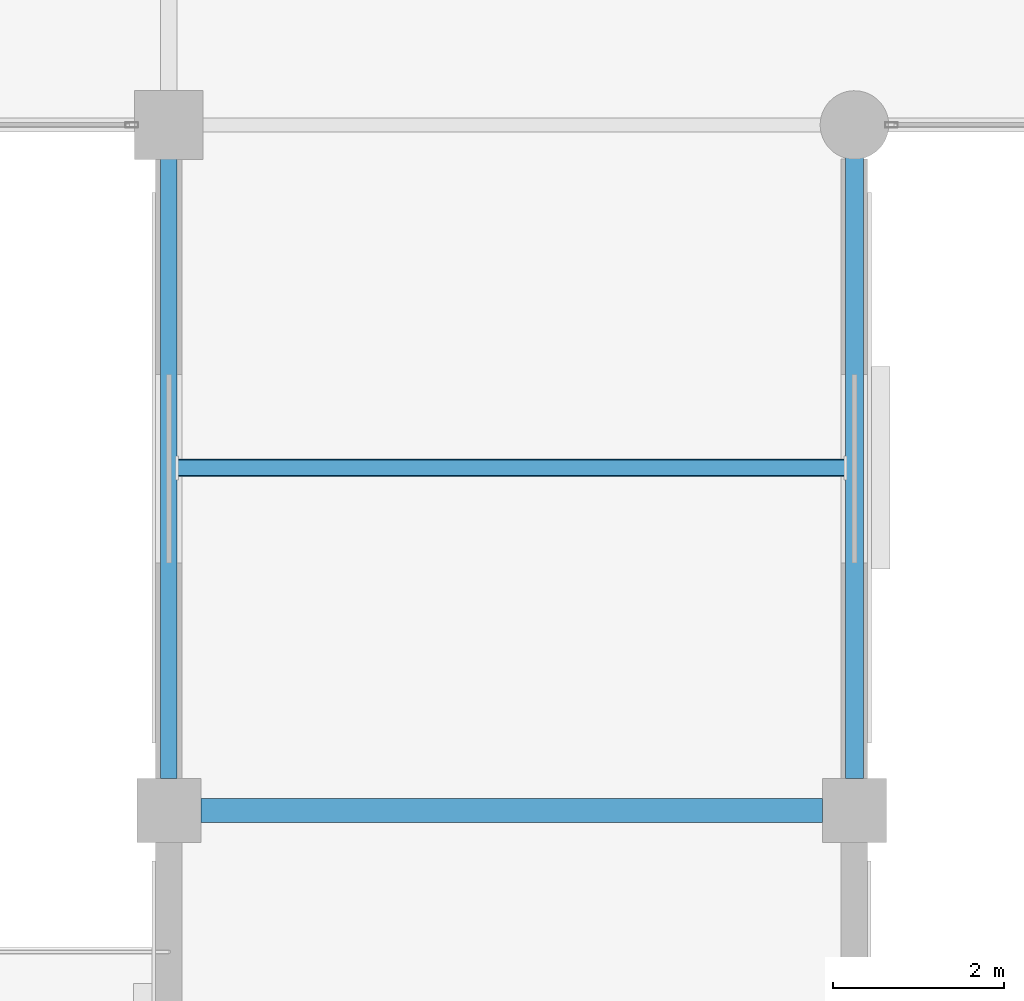
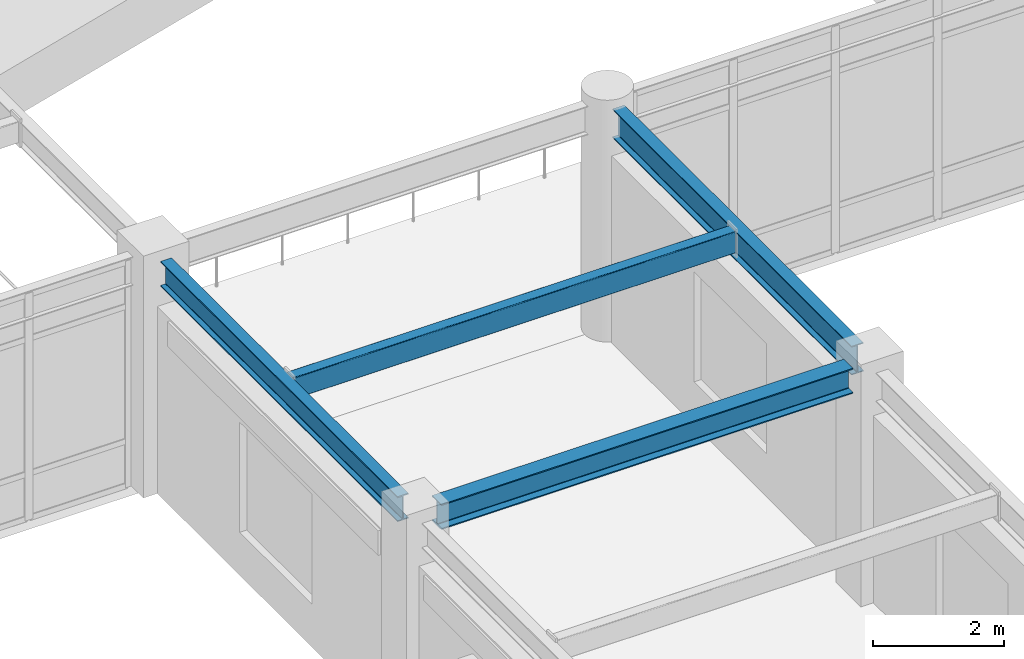
# One storey, part 19 of 93: 4 beams.
"""IFC4 building model written with IfcOpenShell, lengths in metres."""

from ifc_helpers import new_model, si_unit, direction, frame, origin, origin_2d, place, context, subcontext, project, spatial, hollow_rectangle, i_section, extrude, material, material_profile, profile_set, type_object, element, save


model = new_model("IFC4")

# Units and contexts
model_context = context("Model", 3, precision=1e-05, world=origin(), true_north=direction((0.0, 1.0)))
body_context = subcontext(model_context, "Body", "Model", "MODEL_VIEW")
ifc_project = project(units=[si_unit("LENGTHUNIT", "METRE"), si_unit("AREAUNIT", "SQUARE_METRE"), si_unit("VOLUMEUNIT", "CUBIC_METRE"), si_unit("PLANEANGLEUNIT", "RADIAN"), si_unit("MASSUNIT", "GRAM", prefix="KILO")], contexts=[model_context])

# Site, building, storey
site_placement = place(None, origin())
site = spatial("IfcSite", under=ifc_project, at=site_placement, CompositionType="ELEMENT")
building_placement = place(site_placement, origin())
building = spatial("IfcBuilding", under=site, at=building_placement, Name="Solmirada Galleria", CompositionType="ELEMENT")
storey_placement = place(building_placement, frame((0.0, 0.0, 14.89990234375)))
storey = spatial("IfcBuildingStorey", under=building, at=storey_placement, Name="L03", CompositionType="ELEMENT", Elevation=14.89990234375)

# Beams
ifc_material_1 = material(Name="Steel S355 / ASTM A992 Grade 50", Category="steel")
ifc_material_profile_1 = material_profile(ifc_material_1, i_section(OverallWidth=0.281982421875, OverallDepth=0.467041015625, WebThickness=0.01220703125, FlangeThickness=0.01953125, FilletRadius=0.013916015625, at=origin_2d()), Name="W18X86")
ifc_profile_set_1 = profile_set([ifc_material_profile_1], Name="Steel S355 / ASTM A992 Grade 50")
beam_type_1 = type_object("IfcBeamType", Name="BM-GIRD-W18A", PredefinedType="BEAM", material=ifc_profile_set_1)
beam_1_placement = place(storey_placement, frame((88.375, 40.0, 4.066650390625), z_axis=(1.0, 0.0, 0.0), x_axis=(0.0, 1.0, 0.0)))
element("IfcBeam", 1, at=beam_1_placement, inside=storey, type_object=beam_type_1, Name="Primary beam L04 X(88..96, 40)", PredefinedType="BEAM", context=body_context, shape_type="SweptSolid", body=[
    extrude(i_section(OverallWidth=0.281982421875, OverallDepth=0.467041015625, WebThickness=0.01220703125, FlangeThickness=0.01953125, FilletRadius=0.013916015625, at=origin_2d()), origin(), (0.0, 0.0, 1.0), 7.25),
])
ifc_material_profile_2 = material_profile(ifc_material_1, i_section(OverallWidth=0.194091796875, OverallDepth=0.468994140625, WebThickness=0.0126953125, FlangeThickness=0.0205078125, FilletRadius=0.013916015625, at=origin_2d()), Name="W18X71")
ifc_profile_set_2 = profile_set([ifc_material_profile_2], Name="Steel S355 / ASTM A992 Grade 50")
beam_type_2 = type_object("IfcBeamType", Name="BM-GIRD-W18B", PredefinedType="BEAM", material=ifc_profile_set_2)
beam_2_placement = place(storey_placement, frame((88.0, 40.375, 4.065673828125), z_axis=(0.0, 1.0, 0.0), x_axis=(-1.0, 0.0, 0.0)))
element("IfcBeam", 2, at=beam_2_placement, inside=storey, type_object=beam_type_2, Name="Primary girder L04 Y(88, 40..48)", PredefinedType="BEAM", context=body_context, shape_type="SweptSolid", body=[
    extrude(i_section(OverallWidth=0.194091796875, OverallDepth=0.468994140625, WebThickness=0.0126953125, FlangeThickness=0.0205078125, FilletRadius=0.013916015625, at=origin_2d()), origin(), (0.0, 0.0, 1.0), 7.22509765625),
])
ifc_material_profile_3 = material_profile(ifc_material_1, i_section(OverallWidth=0.2099609375, OverallDepth=0.537109375, WebThickness=0.010986328125, FlangeThickness=0.017333984375, FilletRadius=0.014892578125, at=origin_2d()), Name="W21X68")
ifc_profile_set_3 = profile_set([ifc_material_profile_3], Name="Steel S355 / ASTM A992 Grade 50")
beam_type_3 = type_object("IfcBeamType", Name="BM-GIRD-W21B", PredefinedType="BEAM", material=ifc_profile_set_3)
beam_3_placement = place(storey_placement, frame((96.0, 40.375, 4.031494140625), z_axis=(0.0, 1.0, 0.0), x_axis=(-1.0, 0.0, 0.0)))
element("IfcBeam", 3, at=beam_3_placement, inside=storey, type_object=beam_type_3, Name="Primary girder L04 Y(96, 40..48)", PredefinedType="BEAM", context=body_context, shape_type="SweptSolid", body=[
    extrude(i_section(OverallWidth=0.2099609375, OverallDepth=0.537109375, WebThickness=0.010986328125, FlangeThickness=0.017333984375, FilletRadius=0.014892578125, at=origin_2d()), origin(), (0.0, 0.0, 1.0), 7.2890625),
])
ifc_material_2 = material(Name="Steel S355 / ASTM A500 Grade C", Category="steel")
ifc_material_profile_4 = material_profile(ifc_material_2, hollow_rectangle(XDim=0.202880859375, YDim=0.406005859375, WallThickness=0.01171875, InnerFilletRadius=0.01171875, OuterFilletRadius=0.023681640625, at=origin_2d()), Name="HSS16X8X1/2")
ifc_profile_set_4 = profile_set([ifc_material_profile_4], Name="Steel S355 / ASTM A500 Grade C")
beam_type_4 = type_object("IfcBeamType", Name="BM-JST-W16B", PredefinedType="JOIST", material=ifc_profile_set_4)
beam_4_placement = place(storey_placement, frame((88.096923828125, 44.0, 4.09716796875), z_axis=(1.0, 0.0, 0.0), x_axis=(0.0, 1.0, 0.0)))
element("IfcBeam", 4, at=beam_4_placement, inside=storey, type_object=beam_type_4, Name="Composite floor joist L04 (88..96, 44.0)", PredefinedType="JOIST", context=body_context, shape_type="SweptSolid", body=[
    extrude(hollow_rectangle(XDim=0.202880859375, YDim=0.406005859375, WallThickness=0.01171875, InnerFilletRadius=0.01171875, OuterFilletRadius=0.023681640625, at=origin_2d()), origin(), (0.0, 0.0, 1.0), 7.798095703125),
])

save(model, "model.ifc")
